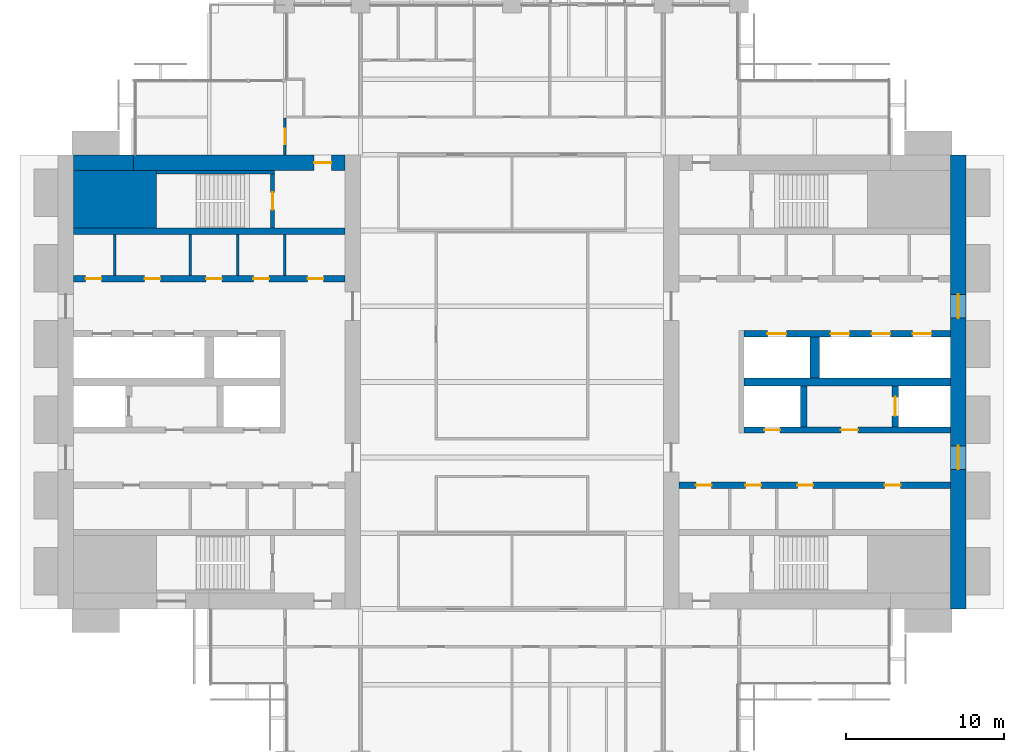
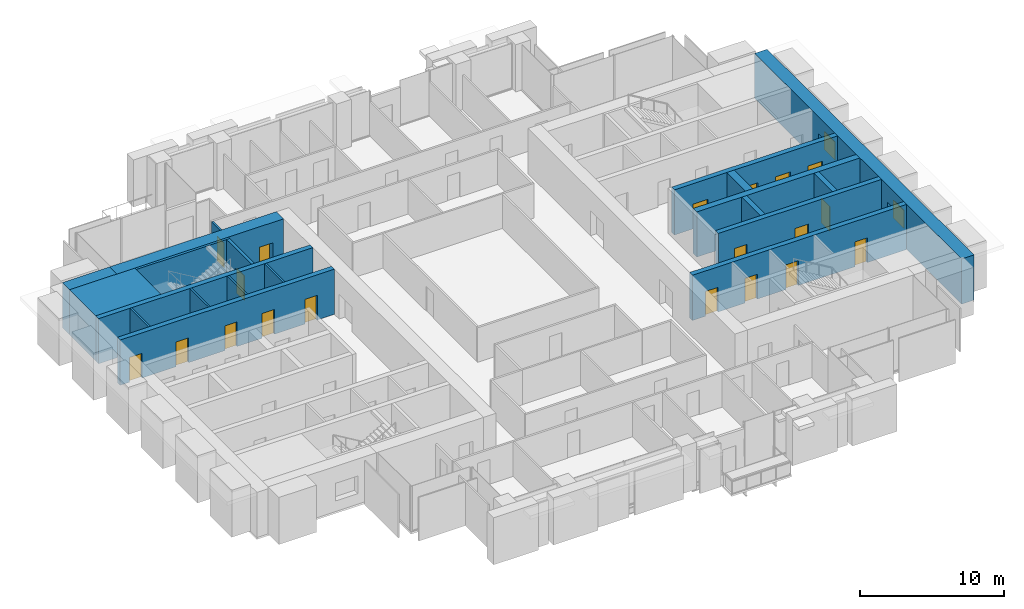
# One storey, part 11 of 15: 20 walls, 19 doors, 2 windows, 21 openings.
"""IFC4 building model written with IfcOpenShell, lengths in metres."""

from ifc_helpers import new_model, si_unit, direction, frame, frame_2d, origin, place, context, subcontext, project, spatial, rectangle, extrude, material, layer, layer_set, type_object, element, fill, save


model = new_model("IFC4")

# Units and contexts
model_context = context("Model", 3, precision=1e-05, world=origin(), true_north=direction((0.0, 1.0)))
body_context = subcontext(model_context, "Body", "Model", "MODEL_VIEW")
ifc_project = project(units=[si_unit("LENGTHUNIT", "METRE"), si_unit("AREAUNIT", "SQUARE_METRE"), si_unit("VOLUMEUNIT", "CUBIC_METRE"), si_unit("PLANEANGLEUNIT", "RADIAN"), si_unit("MASSUNIT", "GRAM", prefix="KILO")], contexts=[model_context])

# Site, building, storey
site_placement = place(None, origin())
site = spatial("IfcSite", under=ifc_project, at=site_placement, CompositionType="ELEMENT")
building_placement = place(site_placement, origin())
building = spatial("IfcBuilding", under=site, at=building_placement, Name="Baori Bourse Tower", CompositionType="ELEMENT")
storey_placement = place(building_placement, frame((0.0, 0.0, 116.10009765625)))
storey = spatial("IfcBuildingStorey", under=building, at=storey_placement, Name="L24", CompositionType="ELEMENT", Elevation=116.10009765625)

# Walls
ifc_material_1 = material(Name="Concrete f'c 60 MPa", Category="concrete")
wall_type_1 = type_object("IfcWallType", Name="Core corner block f'c 60", PredefinedType="SHEAR", material=ifc_material_1)
wall_1_placement = place(storey_placement, frame((1.0, 35.574951171875, 0.0), z_axis=(0.0, 0.0, 1.0), x_axis=(1.0, 0.0, 0.0)))
element("IfcWall", 1, at=wall_1_placement, inside=storey, type_object=wall_type_1, Name="Core wall W27", PredefinedType="SHEAR", context=body_context, shape_type="SweptSolid", body=[
    extrude(rectangle(XDim=5.25, YDim=3.64990234375, at=frame_2d((2.625, 0.0))), origin(), (0.0, 0.0, 1.0), 3.83984375),
])
ifc_material_2 = material(Name="Blockwork partition", Category="masonry")
ifc_layer_1 = layer(ifc_material_2, 0.14990234375)
ifc_layer_set_1 = layer_set([ifc_layer_1], Name="Core partition 150")
wall_type_2 = type_object("IfcWallType", Name="Core partition 150", PredefinedType="PARTITIONING", material=ifc_layer_set_1)
for number, where, z_axis, x_axis, name in (
    (2, (3.60009765625, 30.75, 0.0), (0.0, 0.0, 1.0), (0.0, 1.0, 0.0), "Partition wall W22"),
    (3, (8.39990234375, 30.75, 0.0), (0.0, 0.0, 1.0), (0.0, 1.0, 0.0), "Partition wall W23"),
    (4, (11.39990234375, 30.75, 0.0), (0.0, 0.0, 1.0), (0.0, 1.0, 0.0), "Partition wall W24"),
    (5, (14.39990234375, 30.75, 0.0), (0.0, 0.0, 1.0), (0.0, 1.0, 0.0), "Partition wall W25"),
):
    element("IfcWall", number, at=place(storey_placement, frame(where, z_axis=z_axis, x_axis=x_axis)), inside=storey, type_object=wall_type_2, Name=name, PredefinedType="PARTITIONING", context=body_context, shape_type="SweptSolid", body=[
        extrude(rectangle(XDim=2.60009765625, YDim=0.14990234375, at=frame_2d((1.300048828125, 0.0))), origin(), (0.0, 0.0, 1.0), 3.83984375),
    ])
ifc_material_3 = material(Name="Concrete f'c 60 MPa", Category="concrete")
ifc_layer_2 = layer(ifc_material_3, 1.0)
ifc_layer_set_2 = layer_set([ifc_layer_2], Name="Core wall 1000 f'c 60")
wall_type_3 = type_object("IfcWallType", Name="Core wall 1000 f'c 60", PredefinedType="SHEAR", material=ifc_layer_set_2)
wall_2_placement = place(storey_placement, frame((1.0, 37.89990234375, 0.0), z_axis=(0.0, 0.0, 1.0), x_axis=(1.0, 0.0, 0.0)))
element("IfcWall", 6, at=wall_2_placement, inside=storey, type_object=wall_type_3, Name="Core wall W30", PredefinedType="SHEAR", context=body_context, shape_type="SweptSolid", body=[
    extrude(rectangle(XDim=3.800048828125, YDim=1.0, at=frame_2d((1.89990234375, 0.0))), origin(), (0.0, 0.0, 1.0), 3.83984375),
])

# Wall, opening, door
wall_3_placement = place(storey_placement, frame((4.800048828125, 37.89990234375, 0.0), z_axis=(0.0, 0.0, 1.0), x_axis=(1.0, 0.0, 0.0)))
wall_3 = element("IfcWall", 7, at=wall_3_placement, inside=storey, type_object=wall_type_3, Name="Core wall W31", PredefinedType="SHEAR", context=body_context, shape_type="SweptSolid", body=[
    extrude(rectangle(XDim=13.39990234375, YDim=1.0, at=frame_2d((6.699951171875, 0.0))), origin(), (0.0, 0.0, 1.0), 3.83984375),
])
opening_1_placement = place(wall_3_placement, frame((11.449951171875, 0.0, 0.0)))
opening_1 = element("IfcOpeningElement", 8, at=opening_1_placement, cuts=wall_3, Name="Opening L24-D104", PredefinedType="OPENING", context=body_context, shape_type="SweptSolid", body=[
    extrude(rectangle(XDim=1.10009765625, YDim=2.10009765625, at=frame_2d((0.550048828125, 1.050048828125))), frame((0.0, 0.510009765625, 0.0), z_axis=(0.0, -1.0, 0.0), x_axis=(1.0, 0.0, 0.0)), (0.0, 0.0, 1.0), 1.02001953125),
])
ifc_material_4 = material(Name="Painted steel door", Category="steel")
door_type_1 = type_object("IfcDoorType", Name="Stair door 1100", OperationType="SINGLE_SWING_LEFT", PredefinedType="DOOR", material=ifc_material_4)
door_1_placement = place(opening_1_placement, origin())
door_1 = element("IfcDoor", 9, at=door_1_placement, inside=storey, type_object=door_type_1, Name="Stair vestibule door B W L24", OperationType="SINGLE_SWING_LEFT", OverallHeight=2.10009765625, OverallWidth=1.10009765625, PredefinedType="DOOR", context=body_context, shape_type="SweptSolid", body=[
    extrude(rectangle(XDim=1.10009765625, YDim=2.10009765625, at=frame_2d((0.550048828125, 1.050048828125))), frame((0.0, 0.02490234375, 0.0), z_axis=(0.0, -1.0, 0.0), x_axis=(1.0, 0.0, 0.0)), (0.0, 0.0, 1.0), 0.050048828125),
])
fill(opening_1, door_1)

# Wall, openings, windows
wall_4_placement = place(storey_placement, frame((57.10009765625, 38.39990234375, 0.0), z_axis=(0.0, 0.0, 1.0), x_axis=(0.0, -1.0, 0.0)))
wall_4 = element("IfcWall", 10, at=wall_4_placement, inside=storey, type_object=wall_type_3, Name="Core wall E01", PredefinedType="SHEAR", context=body_context, shape_type="SweptSolid", body=[
    extrude(rectangle(XDim=28.7998046875, YDim=1.0, at=frame_2d((14.39990234375, 0.0))), origin(), (0.0, 0.0, 1.0), 3.83984375),
])
opening_2_placement = place(wall_4_placement, frame((18.449951171875, 0.0, 0.89990234375)))
opening_2 = element("IfcOpeningElement", 11, at=opening_2_placement, cuts=wall_4, Name="Opening L24-KW201", PredefinedType="OPENING", context=body_context, shape_type="SweptSolid", body=[
    extrude(rectangle(XDim=1.5, YDim=1.5, at=frame_2d((0.75, 0.75))), frame((0.0, 0.510009765625, 0.0), z_axis=(0.0, -1.0, 0.0), x_axis=(1.0, 0.0, 0.0)), (0.0, 0.0, 1.0), 1.02001953125),
])
opening_3_placement = place(wall_4_placement, frame((8.85009765625, 0.0, 0.89990234375)))
opening_3 = element("IfcOpeningElement", 12, at=opening_3_placement, cuts=wall_4, Name="Opening L24-KW202", PredefinedType="OPENING", context=body_context, shape_type="SweptSolid", body=[
    extrude(rectangle(XDim=1.5, YDim=1.5, at=frame_2d((0.75, 0.75))), frame((0.0, 0.510009765625, 0.0), z_axis=(0.0, -1.0, 0.0), x_axis=(1.0, 0.0, 0.0)), (0.0, 0.0, 1.0), 1.02001953125),
])
ifc_material_5 = material(Name="Pale anodised aluminium", Category="aluminium")
window_type = type_object("IfcWindowType", Name="Lobby window 1500 x 1500", PartitioningType="SINGLE_PANEL", PredefinedType="WINDOW", material=ifc_material_5)
window_1_placement = place(opening_2_placement, origin())
window_1 = element("IfcWindow", 13, at=window_1_placement, inside=storey, type_object=window_type, Name="Outer wall window E L24 1", OverallHeight=1.5, OverallWidth=1.5, PartitioningType="SINGLE_PANEL", PredefinedType="WINDOW", context=body_context, shape_type="SweptSolid", body=[
    extrude(rectangle(XDim=1.5, YDim=1.5, at=frame_2d((0.75, 0.75))), frame((0.0, 0.030029296875, 0.0), z_axis=(0.0, -1.0, 0.0), x_axis=(1.0, 0.0, 0.0)), (0.0, 0.0, 1.0), 0.06005859375),
])
fill(opening_2, window_1)
window_2_placement = place(opening_3_placement, origin())
window_2 = element("IfcWindow", 14, at=window_2_placement, inside=storey, type_object=window_type, Name="Outer wall window E L24 2", OverallHeight=1.5, OverallWidth=1.5, PartitioningType="SINGLE_PANEL", PredefinedType="WINDOW", context=body_context, shape_type="SweptSolid", body=[
    extrude(rectangle(XDim=1.5, YDim=1.5, at=frame_2d((0.75, 0.75))), frame((0.0, 0.030029296875, 0.0), z_axis=(0.0, -1.0, 0.0), x_axis=(1.0, 0.0, 0.0)), (0.0, 0.0, 1.0), 0.06005859375),
])
fill(opening_3, window_2)

# Wall, opening, door
ifc_material_6 = material(Name="Gypsum board partition")
ifc_layer_3 = layer(ifc_material_6, 0.14990234375)
ifc_layer_set_3 = layer_set([ifc_layer_3], Name="Corridor partition 150")
wall_type_4 = type_object("IfcWallType", Name="Corridor partition 150", PredefinedType="PARTITIONING", material=ifc_layer_set_3)
wall_5_placement = place(storey_placement, frame((14.39990234375, 38.39990234375, 0.0), z_axis=(0.0, 0.0, 1.0), x_axis=(0.0, 1.0, 0.0)))
wall_5 = element("IfcWall", 15, at=wall_5_placement, inside=storey, type_object=wall_type_4, Name="Partition", PredefinedType="PARTITIONING", context=body_context, shape_type="SweptSolid", body=[
    extrude(rectangle(XDim=2.3251953125, YDim=0.14990234375, at=frame_2d((1.16259765625, 0.0))), origin(), (0.0, 0.0, 1.0), 2.935546875),
])
opening_4_placement = place(wall_5_placement, frame((0.66259765625, 0.0, 0.0)))
opening_4 = element("IfcOpeningElement", 16, at=opening_4_placement, cuts=wall_5, Name="Opening L24-D22", PredefinedType="OPENING", context=body_context, shape_type="SweptSolid", body=[
    extrude(rectangle(XDim=1.0, YDim=2.10009765625, at=frame_2d((0.5, 1.050048828125))), frame((0.0, 0.0849609375, 0.0), z_axis=(0.0, -1.0, 0.0), x_axis=(1.0, 0.0, 0.0)), (0.0, 0.0, 1.0), 0.169921875),
])
ifc_material_7 = material(Name="Timber door leaf", Category="wood")
door_type_2 = type_object("IfcDoorType", Name="Door 1000 x 2100", OperationType="SINGLE_SWING_LEFT", PredefinedType="DOOR", material=ifc_material_7)
door_2_placement = place(opening_4_placement, origin())
door_2 = element("IfcDoor", 17, at=door_2_placement, inside=storey, type_object=door_type_2, Name="Door", OperationType="SINGLE_SWING_RIGHT", OverallHeight=2.10009765625, OverallWidth=1.0, PredefinedType="DOOR", context=body_context, shape_type="SweptSolid", body=[
    extrude(rectangle(XDim=1.0, YDim=2.10009765625, at=frame_2d((0.5, 1.050048828125))), frame((0.0, 0.02490234375, 0.0), z_axis=(0.0, -1.0, 0.0), x_axis=(1.0, 0.0, 0.0)), (0.0, 0.0, 1.0), 0.050048828125),
])
fill(opening_4, door_2)

# Wall
ifc_material_8 = material(Name="Concrete f'c 60 MPa", Category="concrete")
ifc_layer_4 = layer(ifc_material_8, 0.199951171875)
ifc_layer_set_4 = layer_set([ifc_layer_4], Name="Shaft wall 200 f'c 60")
wall_type_5 = type_object("IfcWallType", Name="Shaft wall 200 f'c 60", PredefinedType="SHEAR", material=ifc_layer_set_4)
wall_6_placement = place(storey_placement, frame((6.25, 37.300048828125, 0.0), z_axis=(0.0, 0.0, 1.0), x_axis=(1.0, 0.0, 0.0)))
element("IfcWall", 18, at=wall_6_placement, inside=storey, type_object=wall_type_5, Name="Core wall W29", PredefinedType="SHEAR", context=body_context, shape_type="SweptSolid", body=[
    extrude(rectangle(XDim=7.5, YDim=0.199951171875, at=frame_2d((3.75, 0.0))), origin(), (0.0, 0.0, 1.0), 3.83984375),
])

# Wall, opening, door
ifc_material_9 = material(Name="Concrete f'c 60 MPa", Category="concrete")
ifc_layer_5 = layer(ifc_material_9, 0.25)
ifc_layer_set_5 = layer_set([ifc_layer_5], Name="Shaft wall 250 f'c 60")
wall_type_6 = type_object("IfcWallType", Name="Shaft wall 250 f'c 60", PredefinedType="SHEAR", material=ifc_layer_set_5)
wall_7_placement = place(storey_placement, frame((13.625, 33.75, 0.0), z_axis=(0.0, 0.0, 1.0), x_axis=(0.0, 1.0, 0.0)))
wall_7 = element("IfcWall", 19, at=wall_7_placement, inside=storey, type_object=wall_type_6, Name="Core wall W28", PredefinedType="SHEAR", context=body_context, shape_type="SweptSolid", body=[
    extrude(rectangle(XDim=3.449951171875, YDim=0.25, at=frame_2d((1.72509765625, 0.0))), origin(), (0.0, 0.0, 1.0), 3.83984375),
])
opening_5_placement = place(wall_7_placement, frame((1.175048828125, 0.0, 0.0)))
opening_5 = element("IfcOpeningElement", 20, at=opening_5_placement, cuts=wall_7, Name="Opening L24-D103", PredefinedType="OPENING", context=body_context, shape_type="SweptSolid", body=[
    extrude(rectangle(XDim=1.10009765625, YDim=2.10009765625, at=frame_2d((0.550048828125, 1.050048828125))), frame((0.0, 0.135009765625, 0.0), z_axis=(0.0, -1.0, 0.0), x_axis=(1.0, 0.0, 0.0)), (0.0, 0.0, 1.0), 0.27001953125),
])
door_3_placement = place(opening_5_placement, origin())
door_3 = element("IfcDoor", 21, at=door_3_placement, inside=storey, type_object=door_type_1, Name="Stair door B W L24", OperationType="SINGLE_SWING_LEFT", OverallHeight=2.10009765625, OverallWidth=1.10009765625, PredefinedType="DOOR", context=body_context, shape_type="SweptSolid", body=[
    extrude(rectangle(XDim=1.10009765625, YDim=2.10009765625, at=frame_2d((0.550048828125, 1.050048828125))), frame((0.0, 0.02490234375, 0.0), z_axis=(0.0, -1.0, 0.0), x_axis=(1.0, 0.0, 0.0)), (0.0, 0.0, 1.0), 0.050048828125),
])
fill(opening_5, door_3)

# Wall, openings, doors
ifc_material_10 = material(Name="Concrete f'c 60 MPa", Category="concrete")
ifc_layer_6 = layer(ifc_material_10, 0.39990234375)
ifc_layer_set_6 = layer_set([ifc_layer_6], Name="Shaft wall 400 f'c 60")
wall_type_7 = type_object("IfcWallType", Name="Shaft wall 400 f'c 60", PredefinedType="SHEAR", material=ifc_layer_set_6)
wall_8_placement = place(storey_placement, frame((1.0, 30.550048828125, 0.0), z_axis=(0.0, 0.0, 1.0), x_axis=(1.0, 0.0, 0.0)))
wall_8 = element("IfcWall", 22, at=wall_8_placement, inside=storey, type_object=wall_type_7, Name="Core wall W21", PredefinedType="SHEAR", context=body_context, shape_type="SweptSolid", body=[
    extrude(rectangle(XDim=17.199951171875, YDim=0.39990234375, at=frame_2d((8.60009765625, 0.0))), origin(), (0.0, 0.0, 1.0), 3.83984375),
])
opening_6_placement = place(wall_8_placement, frame((0.762451171875, 0.0, 0.0)))
opening_6 = element("IfcOpeningElement", 23, at=opening_6_placement, cuts=wall_8, Name="Opening L24-D109", PredefinedType="OPENING", context=body_context, shape_type="SweptSolid", body=[
    extrude(rectangle(XDim=1.0, YDim=2.10009765625, at=frame_2d((0.5, 1.050048828125))), frame((0.0, 0.2099609375, 0.0), z_axis=(0.0, -1.0, 0.0), x_axis=(1.0, 0.0, 0.0)), (0.0, 0.0, 1.0), 0.419921875),
])
opening_7_placement = place(wall_8_placement, frame((4.5, 0.0, 0.0)))
opening_7 = element("IfcOpeningElement", 24, at=opening_7_placement, cuts=wall_8, Name="Opening L24-D110", PredefinedType="OPENING", context=body_context, shape_type="SweptSolid", body=[
    extrude(rectangle(XDim=1.0, YDim=2.10009765625, at=frame_2d((0.5, 1.050048828125))), frame((0.0, 0.2099609375, 0.0), z_axis=(0.0, -1.0, 0.0), x_axis=(1.0, 0.0, 0.0)), (0.0, 0.0, 1.0), 0.419921875),
])
opening_8_placement = place(wall_8_placement, frame((8.39990234375, 0.0, 0.0)))
opening_8 = element("IfcOpeningElement", 25, at=opening_8_placement, cuts=wall_8, Name="Opening L24-D111", PredefinedType="OPENING", context=body_context, shape_type="SweptSolid", body=[
    extrude(rectangle(XDim=1.0, YDim=2.10009765625, at=frame_2d((0.5, 1.050048828125))), frame((0.0, 0.2099609375, 0.0), z_axis=(0.0, -1.0, 0.0), x_axis=(1.0, 0.0, 0.0)), (0.0, 0.0, 1.0), 0.419921875),
])
opening_9_placement = place(wall_8_placement, frame((11.39990234375, 0.0, 0.0)))
opening_9 = element("IfcOpeningElement", 26, at=opening_9_placement, cuts=wall_8, Name="Opening L24-D112", PredefinedType="OPENING", context=body_context, shape_type="SweptSolid", body=[
    extrude(rectangle(XDim=1.0, YDim=2.10009765625, at=frame_2d((0.5, 1.050048828125))), frame((0.0, 0.2099609375, 0.0), z_axis=(0.0, -1.0, 0.0), x_axis=(1.0, 0.0, 0.0)), (0.0, 0.0, 1.0), 0.419921875),
])
opening_10_placement = place(wall_8_placement, frame((14.83740234375, 0.0, 0.0)))
opening_10 = element("IfcOpeningElement", 27, at=opening_10_placement, cuts=wall_8, Name="Opening L24-D113", PredefinedType="OPENING", context=body_context, shape_type="SweptSolid", body=[
    extrude(rectangle(XDim=1.0, YDim=2.10009765625, at=frame_2d((0.5, 1.050048828125))), frame((0.0, 0.2099609375, 0.0), z_axis=(0.0, -1.0, 0.0), x_axis=(1.0, 0.0, 0.0)), (0.0, 0.0, 1.0), 0.419921875),
])
ifc_material_11 = material(Name="Painted steel door", Category="steel")
door_type_3 = type_object("IfcDoorType", Name="Core door 1000", OperationType="SINGLE_SWING_LEFT", PredefinedType="DOOR", material=ifc_material_11)
door_4_placement = place(opening_6_placement, origin())
door_4 = element("IfcDoor", 28, at=door_4_placement, inside=storey, type_object=door_type_3, Name="Store Room door W L24", OperationType="SINGLE_SWING_LEFT", OverallHeight=2.10009765625, OverallWidth=1.0, PredefinedType="DOOR", context=body_context, shape_type="SweptSolid", body=[
    extrude(rectangle(XDim=1.0, YDim=2.10009765625, at=frame_2d((0.5, 1.050048828125))), frame((0.0, 0.02490234375, 0.0), z_axis=(0.0, -1.0, 0.0), x_axis=(1.0, 0.0, 0.0)), (0.0, 0.0, 1.0), 0.050048828125),
])
fill(opening_6, door_4)
door_5_placement = place(opening_7_placement, origin())
door_5 = element("IfcDoor", 29, at=door_5_placement, inside=storey, type_object=door_type_3, Name="Men'S Wc door W L24", OperationType="SINGLE_SWING_LEFT", OverallHeight=2.10009765625, OverallWidth=1.0, PredefinedType="DOOR", context=body_context, shape_type="SweptSolid", body=[
    extrude(rectangle(XDim=1.0, YDim=2.10009765625, at=frame_2d((0.5, 1.050048828125))), frame((0.0, 0.02490234375, 0.0), z_axis=(0.0, -1.0, 0.0), x_axis=(1.0, 0.0, 0.0)), (0.0, 0.0, 1.0), 0.050048828125),
])
fill(opening_7, door_5)
door_6_placement = place(opening_8_placement, origin())
door_6 = element("IfcDoor", 30, at=door_6_placement, inside=storey, type_object=door_type_3, Name="Accessible Wc door W L24", OperationType="SINGLE_SWING_LEFT", OverallHeight=2.10009765625, OverallWidth=1.0, PredefinedType="DOOR", context=body_context, shape_type="SweptSolid", body=[
    extrude(rectangle(XDim=1.0, YDim=2.10009765625, at=frame_2d((0.5, 1.050048828125))), frame((0.0, 0.02490234375, 0.0), z_axis=(0.0, -1.0, 0.0), x_axis=(1.0, 0.0, 0.0)), (0.0, 0.0, 1.0), 0.050048828125),
])
fill(opening_8, door_6)
door_7_placement = place(opening_9_placement, origin())
door_7 = element("IfcDoor", 31, at=door_7_placement, inside=storey, type_object=door_type_3, Name="Janitor'S Closet door W L24", OperationType="SINGLE_SWING_LEFT", OverallHeight=2.10009765625, OverallWidth=1.0, PredefinedType="DOOR", context=body_context, shape_type="SweptSolid", body=[
    extrude(rectangle(XDim=1.0, YDim=2.10009765625, at=frame_2d((0.5, 1.050048828125))), frame((0.0, 0.02490234375, 0.0), z_axis=(0.0, -1.0, 0.0), x_axis=(1.0, 0.0, 0.0)), (0.0, 0.0, 1.0), 0.050048828125),
])
fill(opening_9, door_7)
door_8_placement = place(opening_10_placement, origin())
door_8 = element("IfcDoor", 32, at=door_8_placement, inside=storey, type_object=door_type_3, Name="Women'S Wc door W L24", OperationType="SINGLE_SWING_LEFT", OverallHeight=2.10009765625, OverallWidth=1.0, PredefinedType="DOOR", context=body_context, shape_type="SweptSolid", body=[
    extrude(rectangle(XDim=1.0, YDim=2.10009765625, at=frame_2d((0.5, 1.050048828125))), frame((0.0, 0.02490234375, 0.0), z_axis=(0.0, -1.0, 0.0), x_axis=(1.0, 0.0, 0.0)), (0.0, 0.0, 1.0), 0.050048828125),
])
fill(opening_10, door_8)

# Wall
wall_9_placement = place(storey_placement, frame((1.0, 33.550048828125, 0.0), z_axis=(0.0, 0.0, 1.0), x_axis=(1.0, 0.0, 0.0)))
element("IfcWall", 33, at=wall_9_placement, inside=storey, type_object=wall_type_7, Name="Core wall W26", PredefinedType="SHEAR", context=body_context, shape_type="SweptSolid", body=[
    extrude(rectangle(XDim=17.199951171875, YDim=0.39990234375, at=frame_2d((8.60009765625, 0.0))), origin(), (0.0, 0.0, 1.0), 3.83984375),
])

# Wall, openings, doors
wall_10_placement = place(storey_placement, frame((39.39990234375, 17.449951171875, 0.0), z_axis=(0.0, 0.0, 1.0), x_axis=(1.0, 0.0, 0.0)))
wall_10 = element("IfcWall", 34, at=wall_10_placement, inside=storey, type_object=wall_type_7, Name="Core wall E12", PredefinedType="SHEAR", context=body_context, shape_type="SweptSolid", body=[
    extrude(rectangle(XDim=17.2001953125, YDim=0.39990234375, at=frame_2d((8.60009765625, 0.0))), origin(), (0.0, 0.0, 1.0), 3.83984375),
])
opening_11_placement = place(wall_10_placement, frame((13.03759765625, 0.0, 0.0)))
opening_11 = element("IfcOpeningElement", 35, at=opening_11_placement, cuts=wall_10, Name="Opening L24-D214", PredefinedType="OPENING", context=body_context, shape_type="SweptSolid", body=[
    extrude(rectangle(XDim=1.0, YDim=2.10009765625, at=frame_2d((0.5, 1.050048828125))), frame((0.0, 0.2099609375, 0.0), z_axis=(0.0, -1.0, 0.0), x_axis=(1.0, 0.0, 0.0)), (0.0, 0.0, 1.0), 0.419921875),
])
opening_12_placement = place(wall_10_placement, frame((7.5, 0.0, 0.0)))
opening_12 = element("IfcOpeningElement", 36, at=opening_12_placement, cuts=wall_10, Name="Opening L24-D215", PredefinedType="OPENING", context=body_context, shape_type="SweptSolid", body=[
    extrude(rectangle(XDim=1.0, YDim=2.10009765625, at=frame_2d((0.5, 1.050048828125))), frame((0.0, 0.2099609375, 0.0), z_axis=(0.0, -1.0, 0.0), x_axis=(1.0, 0.0, 0.0)), (0.0, 0.0, 1.0), 0.419921875),
])
opening_13_placement = place(wall_10_placement, frame((4.199951171875, 0.0, 0.0)))
opening_13 = element("IfcOpeningElement", 37, at=opening_13_placement, cuts=wall_10, Name="Opening L24-D216", PredefinedType="OPENING", context=body_context, shape_type="SweptSolid", body=[
    extrude(rectangle(XDim=1.0, YDim=2.10009765625, at=frame_2d((0.5, 1.050048828125))), frame((0.0, 0.2099609375, 0.0), z_axis=(0.0, -1.0, 0.0), x_axis=(1.0, 0.0, 0.0)), (0.0, 0.0, 1.0), 0.419921875),
])
opening_14_placement = place(wall_10_placement, frame((1.0625, 0.0, 0.0)))
opening_14 = element("IfcOpeningElement", 38, at=opening_14_placement, cuts=wall_10, Name="Opening L24-D217", PredefinedType="OPENING", context=body_context, shape_type="SweptSolid", body=[
    extrude(rectangle(XDim=1.0, YDim=2.10009765625, at=frame_2d((0.5, 1.050048828125))), frame((0.0, 0.2099609375, 0.0), z_axis=(0.0, -1.0, 0.0), x_axis=(1.0, 0.0, 0.0)), (0.0, 0.0, 1.0), 0.419921875),
])
door_9_placement = place(opening_11_placement, origin())
door_9 = element("IfcDoor", 39, at=door_9_placement, inside=storey, type_object=door_type_3, Name="Men'S Wc door E L24", OperationType="SINGLE_SWING_LEFT", OverallHeight=2.10009765625, OverallWidth=1.0, PredefinedType="DOOR", context=body_context, shape_type="SweptSolid", body=[
    extrude(rectangle(XDim=1.0, YDim=2.10009765625, at=frame_2d((0.5, 1.050048828125))), frame((0.0, 0.02490234375, 0.0), z_axis=(0.0, -1.0, 0.0), x_axis=(1.0, 0.0, 0.0)), (0.0, 0.0, 1.0), 0.050048828125),
])
fill(opening_11, door_9)
door_10_placement = place(opening_12_placement, origin())
door_10 = element("IfcDoor", 40, at=door_10_placement, inside=storey, type_object=door_type_3, Name="Women'S Wc door E L24", OperationType="SINGLE_SWING_LEFT", OverallHeight=2.10009765625, OverallWidth=1.0, PredefinedType="DOOR", context=body_context, shape_type="SweptSolid", body=[
    extrude(rectangle(XDim=1.0, YDim=2.10009765625, at=frame_2d((0.5, 1.050048828125))), frame((0.0, 0.02490234375, 0.0), z_axis=(0.0, -1.0, 0.0), x_axis=(1.0, 0.0, 0.0)), (0.0, 0.0, 1.0), 0.050048828125),
])
fill(opening_12, door_10)
door_11_placement = place(opening_13_placement, origin())
door_11 = element("IfcDoor", 41, at=door_11_placement, inside=storey, type_object=door_type_3, Name="Accessible Wc door E L24", OperationType="SINGLE_SWING_LEFT", OverallHeight=2.10009765625, OverallWidth=1.0, PredefinedType="DOOR", context=body_context, shape_type="SweptSolid", body=[
    extrude(rectangle(XDim=1.0, YDim=2.10009765625, at=frame_2d((0.5, 1.050048828125))), frame((0.0, 0.02490234375, 0.0), z_axis=(0.0, -1.0, 0.0), x_axis=(1.0, 0.0, 0.0)), (0.0, 0.0, 1.0), 0.050048828125),
])
fill(opening_13, door_11)
door_12_placement = place(opening_14_placement, origin())
door_12 = element("IfcDoor", 42, at=door_12_placement, inside=storey, type_object=door_type_3, Name="Janitor'S Closet door E L24", OperationType="SINGLE_SWING_LEFT", OverallHeight=2.10009765625, OverallWidth=1.0, PredefinedType="DOOR", context=body_context, shape_type="SweptSolid", body=[
    extrude(rectangle(XDim=1.0, YDim=2.10009765625, at=frame_2d((0.5, 1.050048828125))), frame((0.0, 0.02490234375, 0.0), z_axis=(0.0, -1.0, 0.0), x_axis=(1.0, 0.0, 0.0)), (0.0, 0.0, 1.0), 0.050048828125),
])
fill(opening_14, door_12)

wall_11_placement = place(storey_placement, frame((43.5, 20.949951171875, 0.0), z_axis=(0.0, 0.0, 1.0), x_axis=(1.0, 0.0, 0.0)))
wall_11 = element("IfcWall", 43, at=wall_11_placement, inside=storey, type_object=wall_type_7, Name="Core wall E13", PredefinedType="SHEAR", context=body_context, shape_type="SweptSolid", body=[
    extrude(rectangle(XDim=13.10009765625, YDim=0.39990234375, at=frame_2d((6.550048828125, 0.0))), origin(), (0.0, 0.0, 1.0), 3.83984375),
])
opening_15_placement = place(wall_11_placement, frame((6.14990234375, 0.0, 0.0)))
opening_15 = element("IfcOpeningElement", 44, at=opening_15_placement, cuts=wall_11, Name="Opening L24-D205", PredefinedType="OPENING", context=body_context, shape_type="SweptSolid", body=[
    extrude(rectangle(XDim=1.10009765625, YDim=2.10009765625, at=frame_2d((0.550048828125, 1.050048828125))), frame((0.0, 0.2099609375, 0.0), z_axis=(0.0, -1.0, 0.0), x_axis=(1.0, 0.0, 0.0)), (0.0, 0.0, 1.0), 0.419921875),
])
opening_16_placement = place(wall_11_placement, frame((1.300048828125, 0.0, 0.0)))
opening_16 = element("IfcOpeningElement", 45, at=opening_16_placement, cuts=wall_11, Name="Opening L24-D206", PredefinedType="OPENING", context=body_context, shape_type="SweptSolid", body=[
    extrude(rectangle(XDim=1.0, YDim=2.10009765625, at=frame_2d((0.5, 1.050048828125))), frame((0.0, 0.2099609375, 0.0), z_axis=(0.0, -1.0, 0.0), x_axis=(1.0, 0.0, 0.0)), (0.0, 0.0, 1.0), 0.419921875),
])
ifc_material_12 = material(Name="Painted steel door", Category="steel")
door_type_4 = type_object("IfcDoorType", Name="Lobby door 1100", OperationType="SINGLE_SWING_LEFT", PredefinedType="DOOR", material=ifc_material_12)
door_13_placement = place(opening_15_placement, origin())
door_13 = element("IfcDoor", 46, at=door_13_placement, inside=storey, type_object=door_type_4, Name="Firefighting lobby door E L24", OperationType="SINGLE_SWING_LEFT", OverallHeight=2.10009765625, OverallWidth=1.10009765625, PredefinedType="DOOR", context=body_context, shape_type="SweptSolid", body=[
    extrude(rectangle(XDim=1.10009765625, YDim=2.10009765625, at=frame_2d((0.550048828125, 1.050048828125))), frame((0.0, 0.02490234375, 0.0), z_axis=(0.0, -1.0, 0.0), x_axis=(1.0, 0.0, 0.0)), (0.0, 0.0, 1.0), 0.050048828125),
])
fill(opening_15, door_13)
ifc_material_13 = material(Name="Painted steel door", Category="steel")
door_type_5 = type_object("IfcDoorType", Name="Shaft door 1000", OperationType="SINGLE_SWING_LEFT", PredefinedType="DOOR", material=ifc_material_13)
door_14_placement = place(opening_16_placement, origin())
door_14 = element("IfcDoor", 47, at=door_14_placement, inside=storey, type_object=door_type_5, Name="Riser room door E L24", OperationType="SINGLE_SWING_LEFT", OverallHeight=2.10009765625, OverallWidth=1.0, PredefinedType="DOOR", context=body_context, shape_type="SweptSolid", body=[
    extrude(rectangle(XDim=1.0, YDim=2.10009765625, at=frame_2d((0.5, 1.050048828125))), frame((0.0, 0.02490234375, 0.0), z_axis=(0.0, -1.0, 0.0), x_axis=(1.0, 0.0, 0.0)), (0.0, 0.0, 1.0), 0.050048828125),
])
fill(opening_16, door_14)

# Wall, opening, door
wall_12_placement = place(storey_placement, frame((53.10009765625, 21.14990234375, 0.0), z_axis=(0.0, 0.0, 1.0), x_axis=(0.0, 1.0, 0.0)))
wall_12 = element("IfcWall", 48, at=wall_12_placement, inside=storey, type_object=wall_type_7, Name="Core wall E15", PredefinedType="SHEAR", context=body_context, shape_type="SweptSolid", body=[
    extrude(rectangle(XDim=2.60009765625, YDim=0.39990234375, at=frame_2d((1.300048828125, 0.0))), origin(), (0.0, 0.0, 1.0), 3.83984375),
])
opening_17_placement = place(wall_12_placement, frame((0.699951171875, 0.0, 0.0)))
opening_17 = element("IfcOpeningElement", 49, at=opening_17_placement, cuts=wall_12, Name="Opening L24-D222", PredefinedType="OPENING", context=body_context, shape_type="SweptSolid", body=[
    extrude(rectangle(XDim=1.199951171875, YDim=2.10009765625, at=frame_2d((0.60009765625, 1.050048828125))), frame((0.0, 0.2099609375, 0.0), z_axis=(0.0, -1.0, 0.0), x_axis=(1.0, 0.0, 0.0)), (0.0, 0.0, 1.0), 0.419921875),
])
ifc_material_14 = material(Name="Stainless steel door", Category="steel")
door_type_6 = type_object("IfcDoorType", Name="Lift landing door", OperationType="DOUBLE_DOOR_SLIDING", PredefinedType="DOOR", material=ifc_material_14)
door_15_placement = place(opening_17_placement, origin())
door_15 = element("IfcDoor", 50, at=door_15_placement, inside=storey, type_object=door_type_6, Name="Lift landing door FF2 E L24", OperationType="DOUBLE_DOOR_SLIDING", OverallHeight=2.10009765625, OverallWidth=1.199951171875, PredefinedType="DOOR", context=body_context, shape_type="SweptSolid", body=[
    extrude(rectangle(XDim=1.199951171875, YDim=2.10009765625, at=frame_2d((0.60009765625, 1.050048828125))), frame((0.0, 0.02490234375, 0.0), z_axis=(0.0, -1.0, 0.0), x_axis=(1.0, 0.0, 0.0)), (0.0, 0.0, 1.0), 0.050048828125),
])
fill(opening_17, door_15)

# Wall
wall_13_placement = place(storey_placement, frame((47.300048828125, 21.14990234375, 0.0), z_axis=(0.0, 0.0, 1.0), x_axis=(0.0, 1.0, 0.0)))
element("IfcWall", 51, at=wall_13_placement, inside=storey, type_object=wall_type_7, Name="Core wall E16", PredefinedType="SHEAR", context=body_context, shape_type="SweptSolid", body=[
    extrude(rectangle(XDim=2.60009765625, YDim=0.39990234375, at=frame_2d((1.300048828125, 0.0))), origin(), (0.0, 0.0, 1.0), 3.83984375),
])

# Wall, openings, doors
wall_14_placement = place(storey_placement, frame((43.5, 27.050048828125, 0.0), z_axis=(0.0, 0.0, 1.0), x_axis=(1.0, 0.0, 0.0)))
wall_14 = element("IfcWall", 52, at=wall_14_placement, inside=storey, type_object=wall_type_7, Name="Core wall E19", PredefinedType="SHEAR", context=body_context, shape_type="SweptSolid", body=[
    extrude(rectangle(XDim=13.10009765625, YDim=0.39990234375, at=frame_2d((6.550048828125, 0.0))), origin(), (0.0, 0.0, 1.0), 3.83984375),
])
opening_18_placement = place(wall_14_placement, frame((10.699951171875, 0.0, 0.0)))
opening_18 = element("IfcOpeningElement", 53, at=opening_18_placement, cuts=wall_14, Name="Opening L24-D218", PredefinedType="OPENING", context=body_context, shape_type="SweptSolid", body=[
    extrude(rectangle(XDim=1.199951171875, YDim=2.10009765625, at=frame_2d((0.60009765625, 1.050048828125))), frame((0.0, 0.2099609375, 0.0), z_axis=(0.0, -1.0, 0.0), x_axis=(1.0, 0.0, 0.0)), (0.0, 0.0, 1.0), 0.419921875),
])
opening_19_placement = place(wall_14_placement, frame((8.10009765625, 0.0, 0.0)))
opening_19 = element("IfcOpeningElement", 54, at=opening_19_placement, cuts=wall_14, Name="Opening L24-D219", PredefinedType="OPENING", context=body_context, shape_type="SweptSolid", body=[
    extrude(rectangle(XDim=1.199951171875, YDim=2.10009765625, at=frame_2d((0.60009765625, 1.050048828125))), frame((0.0, 0.2099609375, 0.0), z_axis=(0.0, -1.0, 0.0), x_axis=(1.0, 0.0, 0.0)), (0.0, 0.0, 1.0), 0.419921875),
])
opening_20_placement = place(wall_14_placement, frame((5.5, 0.0, 0.0)))
opening_20 = element("IfcOpeningElement", 55, at=opening_20_placement, cuts=wall_14, Name="Opening L24-D220", PredefinedType="OPENING", context=body_context, shape_type="SweptSolid", body=[
    extrude(rectangle(XDim=1.199951171875, YDim=2.10009765625, at=frame_2d((0.60009765625, 1.050048828125))), frame((0.0, 0.2099609375, 0.0), z_axis=(0.0, -1.0, 0.0), x_axis=(1.0, 0.0, 0.0)), (0.0, 0.0, 1.0), 0.419921875),
])
opening_21_placement = place(wall_14_placement, frame((1.5, 0.0, 0.0)))
opening_21 = element("IfcOpeningElement", 56, at=opening_21_placement, cuts=wall_14, Name="Opening L24-D221", PredefinedType="OPENING", context=body_context, shape_type="SweptSolid", body=[
    extrude(rectangle(XDim=1.199951171875, YDim=2.10009765625, at=frame_2d((0.60009765625, 1.050048828125))), frame((0.0, 0.2099609375, 0.0), z_axis=(0.0, -1.0, 0.0), x_axis=(1.0, 0.0, 0.0)), (0.0, 0.0, 1.0), 0.419921875),
])
door_16_placement = place(opening_18_placement, origin())
door_16 = element("IfcDoor", 57, at=door_16_placement, inside=storey, type_object=door_type_6, Name="Lift landing door SH1 E L24", OperationType="DOUBLE_DOOR_SLIDING", OverallHeight=2.10009765625, OverallWidth=1.199951171875, PredefinedType="DOOR", context=body_context, shape_type="SweptSolid", body=[
    extrude(rectangle(XDim=1.199951171875, YDim=2.10009765625, at=frame_2d((0.60009765625, 1.050048828125))), frame((0.0, 0.02490234375, 0.0), z_axis=(0.0, -1.0, 0.0), x_axis=(1.0, 0.0, 0.0)), (0.0, 0.0, 1.0), 0.050048828125),
])
fill(opening_18, door_16)
door_17_placement = place(opening_19_placement, origin())
door_17 = element("IfcDoor", 58, at=door_17_placement, inside=storey, type_object=door_type_6, Name="Lift landing door SH2 E L24", OperationType="DOUBLE_DOOR_SLIDING", OverallHeight=2.10009765625, OverallWidth=1.199951171875, PredefinedType="DOOR", context=body_context, shape_type="SweptSolid", body=[
    extrude(rectangle(XDim=1.199951171875, YDim=2.10009765625, at=frame_2d((0.60009765625, 1.050048828125))), frame((0.0, 0.02490234375, 0.0), z_axis=(0.0, -1.0, 0.0), x_axis=(1.0, 0.0, 0.0)), (0.0, 0.0, 1.0), 0.050048828125),
])
fill(opening_19, door_17)
door_18_placement = place(opening_20_placement, origin())
door_18 = element("IfcDoor", 59, at=door_18_placement, inside=storey, type_object=door_type_6, Name="Lift landing door SH3 E L24", OperationType="DOUBLE_DOOR_SLIDING", OverallHeight=2.10009765625, OverallWidth=1.199951171875, PredefinedType="DOOR", context=body_context, shape_type="SweptSolid", body=[
    extrude(rectangle(XDim=1.199951171875, YDim=2.10009765625, at=frame_2d((0.60009765625, 1.050048828125))), frame((0.0, 0.02490234375, 0.0), z_axis=(0.0, -1.0, 0.0), x_axis=(1.0, 0.0, 0.0)), (0.0, 0.0, 1.0), 0.050048828125),
])
fill(opening_20, door_18)
door_19_placement = place(opening_21_placement, origin())
door_19 = element("IfcDoor", 60, at=door_19_placement, inside=storey, type_object=door_type_6, Name="Lift landing door SV1 E L24", OperationType="DOUBLE_DOOR_SLIDING", OverallHeight=2.10009765625, OverallWidth=1.199951171875, PredefinedType="DOOR", context=body_context, shape_type="SweptSolid", body=[
    extrude(rectangle(XDim=1.199951171875, YDim=2.10009765625, at=frame_2d((0.60009765625, 1.050048828125))), frame((0.0, 0.02490234375, 0.0), z_axis=(0.0, -1.0, 0.0), x_axis=(1.0, 0.0, 0.0)), (0.0, 0.0, 1.0), 0.050048828125),
])
fill(opening_21, door_19)

# Walls
ifc_material_15 = material(Name="Concrete f'c 60 MPa", Category="concrete")
ifc_layer_7 = layer(ifc_material_15, 0.5)
ifc_layer_set_7 = layer_set([ifc_layer_7], Name="Shaft wall 500 f'c 60")
wall_type_8 = type_object("IfcWallType", Name="Shaft wall 500 f'c 60", PredefinedType="SHEAR", material=ifc_layer_set_7)
wall_15_placement = place(storey_placement, frame((43.5, 24.0, 0.0), z_axis=(0.0, 0.0, 1.0), x_axis=(1.0, 0.0, 0.0)))
element("IfcWall", 61, at=wall_15_placement, inside=storey, type_object=wall_type_8, Name="Core wall E17", PredefinedType="SHEAR", context=body_context, shape_type="SweptSolid", body=[
    extrude(rectangle(XDim=13.10009765625, YDim=0.5, at=frame_2d((6.550048828125, 0.0))), origin(), (0.0, 0.0, 1.0), 3.83984375),
])
ifc_material_16 = material(Name="Concrete f'c 60 MPa", Category="concrete")
ifc_layer_8 = layer(ifc_material_16, 0.60009765625)
ifc_layer_set_8 = layer_set([ifc_layer_8], Name="Shaft wall 600 f'c 60")
wall_type_9 = type_object("IfcWallType", Name="Shaft wall 600 f'c 60", PredefinedType="SHEAR", material=ifc_layer_set_8)
wall_16_placement = place(storey_placement, frame((48.0, 24.25, 0.0), z_axis=(0.0, 0.0, 1.0), x_axis=(0.0, 1.0, 0.0)))
element("IfcWall", 62, at=wall_16_placement, inside=storey, type_object=wall_type_9, Name="Core wall E18", PredefinedType="SHEAR", context=body_context, shape_type="SweptSolid", body=[
    extrude(rectangle(XDim=2.60009765625, YDim=0.60009765625, at=frame_2d((1.300048828125, 0.0))), origin(), (0.0, 0.0, 1.0), 3.83984375),
])

save(model, "model.ifc")
